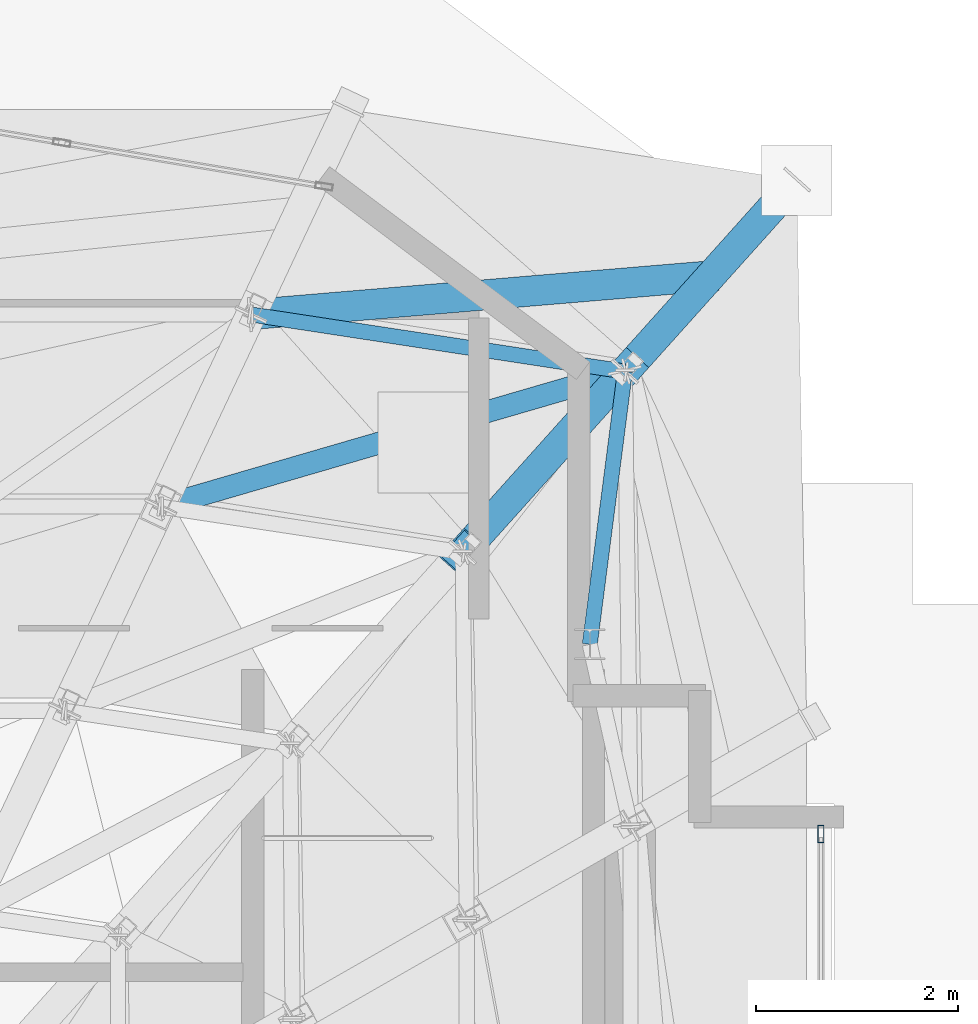
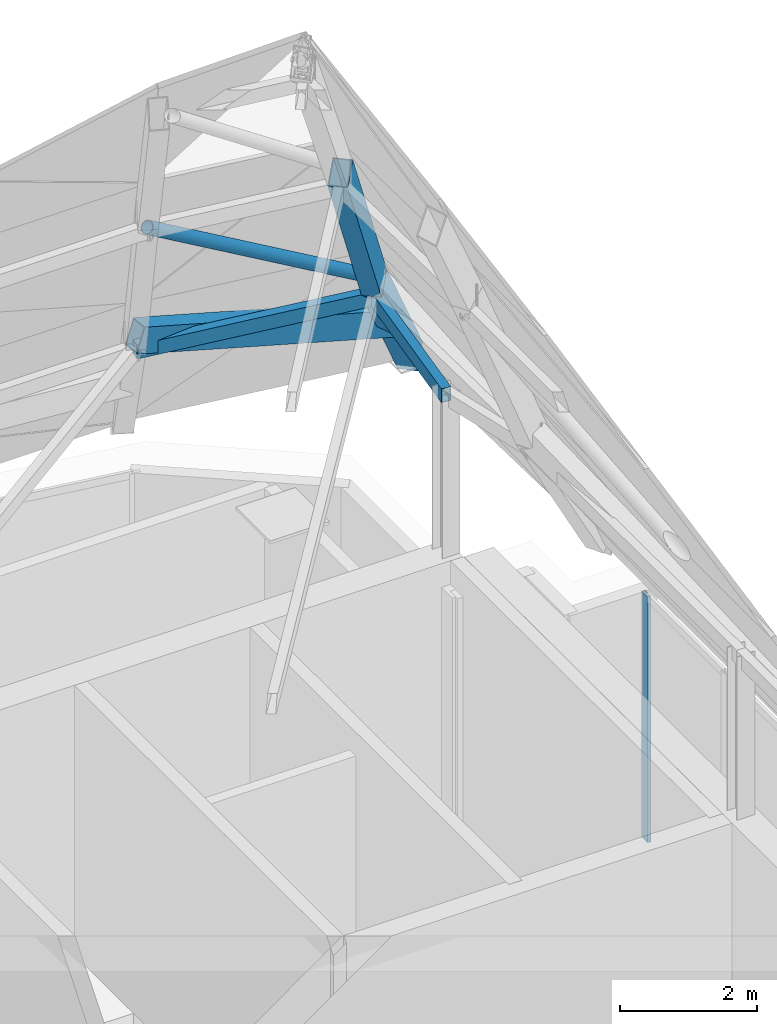
# One storey, part 17 of 30: 7 members, 1 element without a shape of its own.
"""IFC4 building model written with IfcOpenShell, lengths in metres."""

from ifc_helpers import new_model, si_unit, direction, frame, origin, origin_2d, place, context, subcontext, project, spatial, hollow_rectangle, hollow_circle, extrude, material, layer, layer_set, material_profile, profile_set, type_object, element, aggregate, save


model = new_model("IFC4")

# Units and contexts
model_context = context("Model", 3, precision=1e-05, world=origin(), true_north=direction((0.0, 1.0)))
body_context = subcontext(model_context, "Body", "Model", "MODEL_VIEW")
ifc_project = project(units=[si_unit("LENGTHUNIT", "METRE"), si_unit("AREAUNIT", "SQUARE_METRE"), si_unit("VOLUMEUNIT", "CUBIC_METRE"), si_unit("PLANEANGLEUNIT", "RADIAN"), si_unit("MASSUNIT", "GRAM", prefix="KILO")], contexts=[model_context])

# Site, building, storey
site_placement = place(None, origin())
site = spatial("IfcSite", under=ifc_project, at=site_placement, CompositionType="ELEMENT")
building_placement = place(site_placement, origin())
building = spatial("IfcBuilding", under=site, at=building_placement, Name="Haolan Belvedere Tower", CompositionType="ELEMENT")
storey_placement = place(building_placement, frame((0.0, 0.0, 333.0)))
storey = spatial("IfcBuildingStorey", under=building, at=storey_placement, Name="L83", CompositionType="ELEMENT", Elevation=333.0)

# Curtain wall, member
ifc_material_1 = material(Name="Anodised champagne-silver aluminium 6063-T6 and Low-E glass", Category="aluminium")
ifc_layer = layer(ifc_material_1, 0.172119140625, Name="Anodised champagne-silver aluminium 6063-T6 and Low-E glass")
ifc_layer_set = layer_set([ifc_layer], Name="Anodised champagne-silver aluminium 6063-T6 and Low-E glass")
curtain_wall_type = type_object("IfcCurtainWallType", Name="CW-SYS-07", PredefinedType="NOTDEFINED", material=ifc_layer_set)
curtain_wall_placement = place(storey_placement, origin())
curtain_wall = element("IfcCurtainWall", 1, at=curtain_wall_placement, inside=storey, type_object=curtain_wall_type, Name="L83 CW-SYS-07 ribbon curtain wall 4.1", PredefinedType="NOTDEFINED")
ifc_material_2 = material(Name="Anodised aluminium 6063-T6", Category="aluminium")
ifc_material_profile_1 = material_profile(ifc_material_2, hollow_rectangle(XDim=0.06201171875, YDim=0.172119140625, WallThickness=0.00390625, at=origin_2d()), Name="Anodised aluminium 6063-T6")
ifc_profile_set_1 = profile_set([ifc_material_profile_1], Name="Anodised aluminium 6063-T6")
member_type_1 = type_object("IfcMemberType", Name="CW-SYS-07-MUL", PredefinedType="MULLION", material=ifc_profile_set_1)
member_1_placement = place(storey_placement, frame((48.68994140625, 41.319091796875, 0.0), z_axis=(0.0, 0.0, 1.0), x_axis=(-1.0, 0.0, 0.0)))
member_1 = element("IfcMember", 2, at=member_1_placement, type_object=member_type_1, Name="CW-07 mullion 8", PredefinedType="MULLION", context=body_context, shape_type="SweptSolid", body=[
    extrude(hollow_rectangle(XDim=0.06201171875, YDim=0.172119140625, WallThickness=0.00390625, at=origin_2d()), origin(), (0.0, 0.0, 1.0), 4.3798828125),
])
aggregate(curtain_wall, [member_1])

# Members
ifc_material_3 = material(Name="Steel Q355B", Category="steel")
ifc_material_profile_2 = material_profile(ifc_material_3, hollow_rectangle(XDim=0.300048828125, YDim=0.449951171875, WallThickness=0.01611328125, at=origin_2d()), Name="Steel Q355B")
ifc_profile_set_2 = profile_set([ifc_material_profile_2], Name="Steel Q355B")
member_type_2 = type_object("IfcMemberType", Name="MEM-BOX450x300x16", PredefinedType="RAFTER", material=ifc_profile_set_2)
member_2_placement = place(storey_placement, frame((47.59912109375, 46.851806640625, 6.302001953125), z_axis=(-0.945453799832, -0.079412848646, 0.315928333413), x_axis=(0.083699690997, -0.996491024409, 0.0)))
element("IfcMember", 3, at=member_2_placement, inside=storey, type_object=member_type_2, Name="Crown frame Tier-1 diagonal hip rafter 07", PredefinedType="RAFTER", context=body_context, shape_type="SweptSolid", body=[
    extrude(hollow_rectangle(XDim=0.300048828125, YDim=0.449951171875, WallThickness=0.01611328125, at=origin_2d()), origin(), (0.0, 0.0, 1.0), 4.8173828125),
])
member_3_placement = place(storey_placement, frame((48.449951171875, 47.800048828125, 4.780029296875), z_axis=(-0.428632908106, -0.477714420614, 0.766852503697), x_axis=(0.74430823705, -0.667836243595, 0.0)))
element("IfcMember", 4, at=member_3_placement, inside=storey, type_object=member_type_2, Name="Crown frame sloped hip rafter T1-07", PredefinedType="RAFTER", context=body_context, shape_type="SweptSolid", body=[
    extrude(hollow_rectangle(XDim=0.300048828125, YDim=0.449951171875, WallThickness=0.01611328125, at=origin_2d()), origin(), (0.0, 0.0, 1.0), 3.969482421875),
])
member_4_placement = place(storey_placement, frame((46.74853515625, 45.90380859375, 7.823974609375), z_axis=(-0.370855219116, -0.413249932945, 0.831679565323), x_axis=(0.744251330304, -0.667899661132, 0.0)))
element("IfcMember", 5, at=member_4_placement, inside=storey, type_object=member_type_2, Name="Crown frame sloped hip rafter T2-07", PredefinedType="RAFTER", context=body_context, shape_type="SweptSolid", body=[
    extrude(hollow_rectangle(XDim=0.300048828125, YDim=0.449951171875, WallThickness=0.01611328125, at=origin_2d()), origin(), (0.0, 0.0, 1.0), 4.33642578125),
])
ifc_material_profile_3 = material_profile(ifc_material_3, hollow_circle(Radius=0.109619140625, WallThickness=0.010009765625, at=origin_2d()), Name="Steel Q355B")
ifc_profile_set_3 = profile_set([ifc_material_profile_3], Name="Steel Q355B")
member_type_3 = type_object("IfcMemberType", Name="MEM-CHS219x10", PredefinedType="STRUT", material=ifc_profile_set_3)
member_5_placement = place(storey_placement, frame((46.74853515625, 45.90380859375, 7.924072265625), z_axis=(-0.790247029248, -0.229960962815, 0.568003158747), x_axis=(0.279408983952, -0.960172182313, 0.0)))
element("IfcMember", 6, at=member_5_placement, inside=storey, type_object=member_type_3, Name="Crown frame wind brace strut T2-07", PredefinedType="STRUT", context=body_context, shape_type="SweptSolid", body=[
    extrude(hollow_circle(Radius=0.109619140625, WallThickness=0.010009765625, at=origin_2d()), origin(), (0.0, 0.0, 1.0), 5.821044921875),
])
ifc_material_profile_4 = material_profile(ifc_material_3, hollow_rectangle(XDim=0.14990234375, YDim=0.25, WallThickness=0.010009765625, at=origin_2d()), Name="Steel Q355B")
ifc_profile_set_4 = profile_set([ifc_material_profile_4], Name="Steel Q355B")
member_type_4 = type_object("IfcMemberType", Name="MEM-RHS250x150x10", PredefinedType="PURLIN", material=ifc_profile_set_4)
member_6_placement = place(storey_placement, frame((46.39990234375, 43.199951171875, 7.583984375), z_axis=(0.12788041008, 0.991789594984, 0.0), x_axis=(-0.991789594984, 0.12788041008, 0.0)))
element("IfcMember", 7, at=member_6_placement, inside=storey, type_object=member_type_4, Name="Crown Tier-1 post-to-ring chord 07", PredefinedType="STRUT", context=body_context, shape_type="SweptSolid", body=[
    extrude(hollow_rectangle(XDim=0.14990234375, YDim=0.25, WallThickness=0.010009765625, at=origin_2d()), origin(), (0.0, 0.0, 1.0), 2.726318359375),
])
member_7_placement = place(storey_placement, frame((46.74853515625, 45.90380859375, 7.583984375), z_axis=(-0.988548789234, 0.150901594771, 0.0), x_axis=(-0.150901594771, -0.988548789234, 0.0)))
element("IfcMember", 8, at=member_7_placement, inside=storey, type_object=member_type_4, Name="Crown frame horizontal ring purlin T1-07", PredefinedType="PURLIN", context=body_context, shape_type="SweptSolid", body=[
    extrude(hollow_rectangle(XDim=0.14990234375, YDim=0.25, WallThickness=0.010009765625, at=origin_2d()), origin(), (0.0, 0.0, 1.0), 3.7470703125),
])

save(model, "model.ifc")
